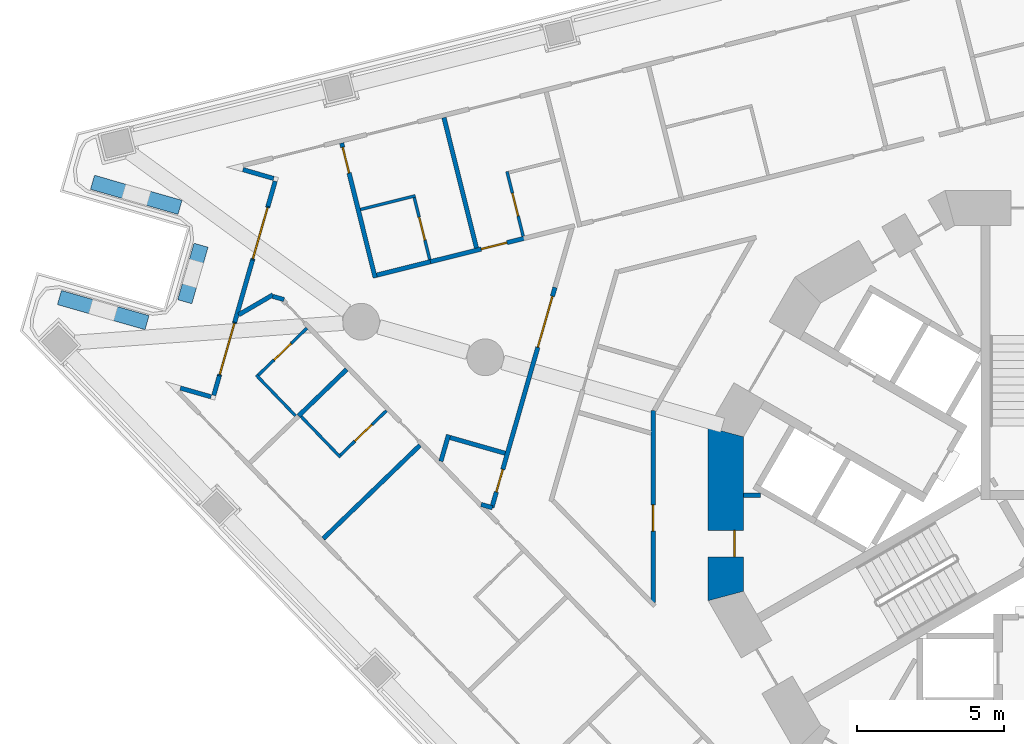
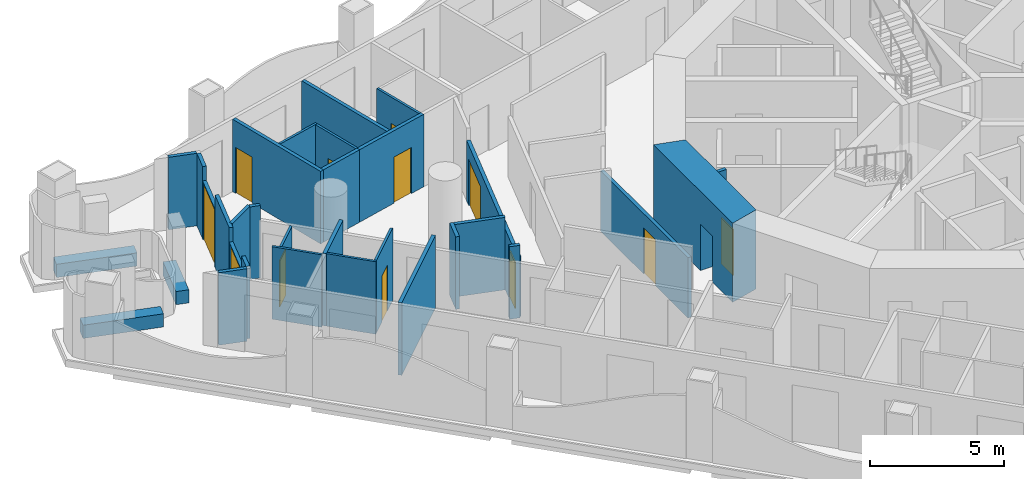
# One storey, part 6 of 19: 32 walls, 12 doors, 12 openings.
"""IFC4 building model written with IfcOpenShell, lengths in metres."""

from ifc_helpers import new_model, si_unit, direction, frame, frame_2d, origin, place, context, subcontext, project, spatial, polyline, rectangle, outline, extrude, material, layer, layer_set, type_object, element, fill, save


model = new_model("IFC4")

# Units and contexts
model_context = context("Model", 3, precision=1e-05, world=origin(), true_north=direction((0.0, 1.0)))
body_context = subcontext(model_context, "Body", "Model", "MODEL_VIEW")
ifc_project = project(units=[si_unit("LENGTHUNIT", "METRE"), si_unit("AREAUNIT", "SQUARE_METRE"), si_unit("VOLUMEUNIT", "CUBIC_METRE"), si_unit("PLANEANGLEUNIT", "RADIAN"), si_unit("MASSUNIT", "GRAM", prefix="KILO")], contexts=[model_context])

# Site, building, storey
site_placement = place(None, origin())
site = spatial("IfcSite", under=ifc_project, at=site_placement, CompositionType="ELEMENT")
building_placement = place(site_placement, origin())
building = spatial("IfcBuilding", under=site, at=building_placement, Name="Trine Commons Tower", CompositionType="ELEMENT")
storey_placement = place(building_placement, frame((0.0, 0.0, 98.10009765625)))
storey = spatial("IfcBuildingStorey", under=building, at=storey_placement, Name="L24", CompositionType="ELEMENT", Elevation=98.10009765625)

# Walls
ifc_material_1 = material(Name="Plasterboard partition on steel studs", Category="steel")
ifc_layer_1 = layer(ifc_material_1, 0.14990234375)
ifc_layer_set_1 = layer_set([ifc_layer_1], Name="Plasterboard partition on steel studs")
wall_type_1 = type_object("IfcWallType", Name="Core room partition 150 mm, EI 60", PredefinedType="PARTITIONING", material=ifc_layer_set_1)
wall_1_placement = place(storey_placement, frame((70.18798828125, 63.14208984375, 0.0), z_axis=(0.0, 0.0, 1.0), x_axis=(1.0, 0.0, 0.0)))
element("IfcWall", 1, at=wall_1_placement, inside=storey, type_object=wall_type_1, Name="Core room partition L24", PredefinedType="PARTITIONING", context=body_context, shape_type="SweptSolid", body=[
    extrude(rectangle(XDim=0.571044921875, YDim=0.14990234375, at=frame_2d((0.28564453125, 0.0))), origin(), (0.0, 0.0, 1.0), 3.2998046875),
])
ifc_material_2 = material(Name="Aluminium-framed insulated wall panel", Category="aluminium")
ifc_layer_2 = layer(ifc_material_2, 0.14990234375)
ifc_layer_set_2 = layer_set([ifc_layer_2], Name="Aluminium-framed insulated wall panel")
wall_type_2 = type_object("IfcWallType", Name="Glazed frame wall 150, EI 60", PredefinedType="SOLIDWALL", material=ifc_layer_set_2)
wall_2_placement = place(storey_placement, frame((50.88232421875, 66.82861328125, 0.0), z_axis=(0.0, 0.0, 1.0), x_axis=(0.961290718071, -0.275536123495, 0.0)))
element("IfcWall", 2, at=wall_2_placement, inside=storey, type_object=wall_type_2, Name="Glazed frame wall R1", PredefinedType="SOLIDWALL", context=body_context, shape_type="SweptSolid", body=[
    extrude(outline(polyline([(0.1494140625, 0.074951171875), (0.1494140625, -0.074951171875), (1.235107421875, -0.074951171875), (1.235107421875, 0.074951171875), (0.1494140625, 0.074951171875)])), origin(), (0.0, 0.0, 1.0), 3.2998046875),
])
wall_3_placement = place(storey_placement, frame((52.1318359375, 66.433837890625, 0.0), z_axis=(0.0, 0.0, 1.0), x_axis=(0.275567433055, 0.961281743215, 0.0)))
element("IfcWall", 3, at=wall_3_placement, inside=storey, type_object=wall_type_2, Name="Glazed frame wall P1.1", PredefinedType="SOLIDWALL", context=body_context, shape_type="SweptSolid", body=[
    extrude(outline(polyline([(0.110107421875, -0.074951171875), (0.800048828125, -0.074951171875), (0.800048828125, 0.074951171875), (0.110107421875, 0.074951171875), (0.110107421875, -0.074951171875)])), origin(), (0.0, 0.0, 1.0), 3.2998046875),
])

# Wall, opening, door
wall_4_placement = place(storey_placement, frame((52.352294921875, 67.202880859375, 0.0), z_axis=(0.0, 0.0, 1.0), x_axis=(0.275739195228, 0.961232488119, 0.0)))
wall_4 = element("IfcWall", 4, at=wall_4_placement, inside=storey, type_object=wall_type_2, Name="Glazed frame wall P1.2", PredefinedType="SOLIDWALL", context=body_context, shape_type="SweptSolid", body=[
    extrude(outline(polyline([(0.0, -0.074951171875), (1.89990234375, -0.074951171875), (1.89990234375, 0.074951171875), (0.0, 0.074951171875), (0.0, -0.074951171875)])), origin(), (0.0, 0.0, 1.0), 2.64990234375),
])
opening_1_placement = place(wall_4_placement, frame((0.050048828125, 0.0, 0.0)))
opening_1 = element("IfcOpeningElement", 5, at=opening_1_placement, cuts=wall_4, Name="Opening BD-3P1-01", PredefinedType="OPENING", context=body_context, shape_type="SweptSolid", body=[
    extrude(rectangle(XDim=1.800048828125, YDim=2.60009765625, at=frame_2d((0.89990234375, 1.300048828125))), frame((0.0, 0.0849609375, 0.0), z_axis=(0.0, -1.0, 0.0), x_axis=(1.0, 0.0, 0.0)), (0.0, 0.0, 1.0), 0.169921875),
])
ifc_material_3 = material(Name="Anodised aluminium frame with double glazing", Category="aluminium")
door_type_1 = type_object("IfcDoorType", Name="Sliding loggia door 1800x2600", OperationType="SLIDING_TO_LEFT", PredefinedType="DOOR", material=ifc_material_3)
door_1_placement = place(opening_1_placement, origin())
door_1 = element("IfcDoor", 6, at=door_1_placement, inside=storey, type_object=door_type_1, Name="Loggia door P1 1", OperationType="SLIDING_TO_LEFT", OverallHeight=2.60009765625, OverallWidth=1.800048828125, PredefinedType="DOOR", context=body_context, shape_type="SweptSolid", body=[
    extrude(rectangle(XDim=1.800048828125, YDim=2.60009765625, at=frame_2d((0.89990234375, 1.300048828125))), frame((0.0, 0.02490234375, 0.0), z_axis=(0.0, -1.0, 0.0), x_axis=(1.0, 0.0, 0.0)), (0.0, 0.0, 1.0), 0.050048828125),
])
fill(opening_1, door_1)

# Wall
wall_5_placement = place(storey_placement, frame((52.876220703125, 69.029296875, 0.0), z_axis=(0.0, 0.0, 1.0), x_axis=(0.275556494379, 0.961284878902, 0.0)))
element("IfcWall", 7, at=wall_5_placement, inside=storey, type_object=wall_type_2, Name="Glazed frame wall P1.3", PredefinedType="SOLIDWALL", context=body_context, shape_type="SweptSolid", body=[
    extrude(outline(polyline([(0.0, -0.074951171875), (2.199951171875, -0.074951171875), (2.199951171875, 0.074951171875), (0.0, 0.074951171875), (0.0, -0.074951171875)])), origin(), (0.0, 0.0, 1.0), 3.2998046875),
])

# Wall, opening, door
wall_6_placement = place(storey_placement, frame((53.482421875, 71.14404296875, 0.0), z_axis=(0.0, 0.0, 1.0), x_axis=(0.275739195228, 0.961232488119, 0.0)))
wall_6 = element("IfcWall", 8, at=wall_6_placement, inside=storey, type_object=wall_type_2, Name="Glazed frame wall P1.4", PredefinedType="SOLIDWALL", context=body_context, shape_type="SweptSolid", body=[
    extrude(outline(polyline([(0.0, -0.074951171875), (1.89990234375, -0.074951171875), (1.89990234375, 0.074951171875), (0.0, 0.074951171875), (0.0, -0.074951171875)])), origin(), (0.0, 0.0, 1.0), 2.64990234375),
])
opening_2_placement = place(wall_6_placement, frame((0.050048828125, 0.0, 0.0)))
opening_2 = element("IfcOpeningElement", 9, at=opening_2_placement, cuts=wall_6, Name="Opening BD-3P1-02", PredefinedType="OPENING", context=body_context, shape_type="SweptSolid", body=[
    extrude(rectangle(XDim=1.800048828125, YDim=2.60009765625, at=frame_2d((0.89990234375, 1.300048828125))), frame((0.0, 0.0849609375, 0.0), z_axis=(0.0, -1.0, 0.0), x_axis=(1.0, 0.0, 0.0)), (0.0, 0.0, 1.0), 0.169921875),
])
door_2_placement = place(opening_2_placement, origin())
door_2 = element("IfcDoor", 10, at=door_2_placement, inside=storey, type_object=door_type_1, Name="Loggia door P1 2", OperationType="SLIDING_TO_LEFT", OverallHeight=2.60009765625, OverallWidth=1.800048828125, PredefinedType="DOOR", context=body_context, shape_type="SweptSolid", body=[
    extrude(rectangle(XDim=1.800048828125, YDim=2.60009765625, at=frame_2d((0.89990234375, 1.300048828125))), frame((0.0, 0.02490234375, 0.0), z_axis=(0.0, -1.0, 0.0), x_axis=(1.0, 0.0, 0.0)), (0.0, 0.0, 1.0), 0.050048828125),
])
fill(opening_2, door_2)

# Walls
wall_7_placement = place(storey_placement, frame((54.00634765625, 72.970458984375, 0.0), z_axis=(0.0, 0.0, 1.0), x_axis=(0.275656175253, 0.961256299353, 0.0)))
element("IfcWall", 11, at=wall_7_placement, inside=storey, type_object=wall_type_2, Name="Glazed frame wall P1.5", PredefinedType="SOLIDWALL", context=body_context, shape_type="SweptSolid", body=[
    extrude(outline(polyline([(0.889892578125, 0.074951171875), (0.0, 0.074951171875), (0.0, -0.074951171875), (0.889892578125, -0.074951171875), (0.889892578125, 0.074951171875)])), origin(), (0.0, 0.0, 1.0), 3.2998046875),
])
wall_8_placement = place(storey_placement, frame((54.305908203125, 73.888427734375, 0.0), z_axis=(0.0, 0.0, 1.0), x_axis=(-0.961242628544, 0.275703843044, 0.0)))
element("IfcWall", 12, at=wall_8_placement, inside=storey, type_object=wall_type_2, Name="Glazed frame wall R3", PredefinedType="SOLIDWALL", context=body_context, shape_type="SweptSolid", body=[
    extrude(outline(polyline([(0.110107421875, 0.074951171875), (0.110107421875, -0.074951171875), (1.19580078125, -0.074951171875), (1.19580078125, 0.074951171875), (0.110107421875, 0.074951171875)])), origin(), (0.0, 0.0, 1.0), 3.2998046875),
])
ifc_material_4 = material(Name="Planter trough, precast concrete C40/50", Category="concrete")
ifc_layer_3 = layer(ifc_material_4, 0.5)
ifc_layer_set_3 = layer_set([ifc_layer_3], Name="Planter trough, precast concrete C40/50")
wall_type_3 = type_object("IfcWallType", Name="Planter trough 500x600", PredefinedType="PARAPET", material=ifc_layer_set_3)
wall_9_placement = place(storey_placement, frame((46.91064453125, 69.865966796875, 0.0), z_axis=(0.0, 0.0, 1.0), x_axis=(0.961261991794, -0.275636324044, 0.0)))
element("IfcWall", 13, at=wall_9_placement, inside=storey, type_object=wall_type_3, Name="Planter 1", PredefinedType="PARAPET", context=body_context, shape_type="SweptSolid", body=[
    extrude(rectangle(XDim=3.10009765625, YDim=0.5, at=frame_2d((1.550048828125, 0.0))), origin(), (0.0, 0.0, 1.0), 0.599853515625),
])
wall_10_placement = place(storey_placement, frame((51.177001953125, 69.724609375, 0.0), z_axis=(0.0, 0.0, 1.0), x_axis=(0.275623830648, 0.961265574115, 0.0)))
element("IfcWall", 14, at=wall_10_placement, inside=storey, type_object=wall_type_3, Name="Planter 2", PredefinedType="PARAPET", context=body_context, shape_type="SweptSolid", body=[
    extrude(rectangle(XDim=2.0, YDim=0.5, at=frame_2d((1.0, 0.0))), origin(), (0.0, 0.0, 1.0), 0.599853515625),
])
wall_11_placement = place(storey_placement, frame((51.01513671875, 72.93359375, 0.0), z_axis=(0.0, 0.0, 1.0), x_axis=(-0.961261991794, 0.275636324044, 0.0)))
element("IfcWall", 15, at=wall_11_placement, inside=storey, type_object=wall_type_3, Name="Planter 3", PredefinedType="PARAPET", context=body_context, shape_type="SweptSolid", body=[
    extrude(rectangle(XDim=3.10009765625, YDim=0.5, at=frame_2d((1.550048828125, 0.0))), origin(), (0.0, 0.0, 1.0), 0.599853515625),
])

# Wall, opening, door
ifc_material_5 = material(Name="Concrete C70/85", Category="concrete")
ifc_layer_4 = layer(ifc_material_5, 1.199951171875)
ifc_layer_set_4 = layer_set([ifc_layer_4], Name="Concrete C70/85")
wall_type_4 = type_object("IfcWallType", Name="RC shear wall 1200 mm, C70/85", PredefinedType="SHEAR", material=ifc_layer_set_4)
wall_12_placement = place(storey_placement, frame((69.58837890625, 65.450439453125, 0.0), z_axis=(0.0, 0.0, 1.0), x_axis=(0.0, -1.0, 0.0)))
wall_12 = element("IfcWall", 16, at=wall_12_placement, inside=storey, type_object=wall_type_4, Name="Core wall CWC-07 L24", PredefinedType="SHEAR", context=body_context, shape_type="SweptSolid", body=[
    extrude(outline(polyline([(0.0, -0.60009765625), (5.90087890625, -0.60009765625), (5.57958984375, 0.60009765625), (0.321533203125, 0.60009765625), (0.0, -0.60009765625)])), origin(), (0.0, 0.0, 1.0), 3.599853515625),
])
opening_3_placement = place(wall_12_placement, frame((3.508544921875, 0.0, 0.0)))
opening_3 = element("IfcOpeningElement", 17, at=opening_3_placement, cuts=wall_12, Name="Opening K07.14", PredefinedType="OPENING", context=body_context, shape_type="SweptSolid", body=[
    extrude(rectangle(XDim=0.89990234375, YDim=2.10009765625, at=frame_2d((0.449951171875, 1.050048828125))), frame((0.0, 0.60986328125, 0.0), z_axis=(0.0, -1.0, 0.0), x_axis=(1.0, 0.0, 0.0)), (0.0, 0.0, 1.0), 1.219970703125),
])
ifc_material_6 = material(Name="Steel door leaf, fire-rated", Category="steel")
door_type_2 = type_object("IfcDoorType", Name="Core room door, single leaf 900 x 2100, FD30S", OperationType="SINGLE_SWING_LEFT", PredefinedType="DOOR", material=ifc_material_6)
door_3_placement = place(opening_3_placement, origin())
door_3 = element("IfcDoor", 18, at=door_3_placement, inside=storey, type_object=door_type_2, Name="Door to Print room L24", OperationType="SINGLE_SWING_RIGHT", OverallHeight=2.10009765625, OverallWidth=0.89990234375, PredefinedType="DOOR", context=body_context, shape_type="SweptSolid", body=[
    extrude(rectangle(XDim=0.89990234375, YDim=2.10009765625, at=frame_2d((0.449951171875, 1.050048828125))), frame((0.0, 0.3251953125, 0.0), z_axis=(0.0, -1.0, 0.0), x_axis=(1.0, 0.0, 0.0)), (0.0, 0.0, 1.0), 0.050048828125),
])
fill(opening_3, door_3)

# Walls
ifc_material_7 = material(Name="Gypsum plasterboard on steel stud", Category="steel")
ifc_layer_5 = layer(ifc_material_7, 0.14990234375)
ifc_layer_set_5 = layer_set([ifc_layer_5], Name="Gypsum plasterboard on steel stud")
wall_type_5 = type_object("IfcWallType", Name="Unit and corridor wall 150 mm, EI 60", PredefinedType="PARTITIONING", material=ifc_layer_set_5)
wall_13_placement = place(storey_placement, frame((53.012451171875, 69.2802734375, 0.0), z_axis=(0.0, 0.0, 1.0), x_axis=(0.863562271771, 0.504242206458, 0.0)))
element("IfcWall", 19, at=wall_13_placement, inside=storey, type_object=wall_type_5, Name="Partition 001", PredefinedType="PARTITIONING", context=body_context, shape_type="SweptSolid", body=[
    extrude(rectangle(XDim=1.349365234375, YDim=0.14990234375, at=frame_2d((0.6748046875, 0.0))), origin(), (0.0, 0.0, 1.0), 3.2998046875),
])
wall_14_placement = place(storey_placement, frame((54.169921875, 69.90673828125, 0.0), z_axis=(0.0, 0.0, 1.0), x_axis=(0.961685070829, -0.274156569398, 0.0)))
element("IfcWall", 20, at=wall_14_placement, inside=storey, type_object=wall_type_5, Name="Partition 005", PredefinedType="PARTITIONING", context=body_context, shape_type="SweptSolid", body=[
    extrude(rectangle(XDim=0.39990234375, YDim=0.14990234375, at=frame_2d((0.199951171875, 0.0))), origin(), (0.0, 0.0, 1.0), 3.2998046875),
])
wall_15_placement = place(storey_placement, frame((55.047119140625, 65.83837890625, 0.0), z_axis=(0.0, 0.0, 1.0), x_axis=(0.719183209113, 0.694820488853, 0.0)))
element("IfcWall", 21, at=wall_15_placement, inside=storey, type_object=wall_type_5, Name="Partition 008", PredefinedType="PARTITIONING", context=body_context, shape_type="SweptSolid", body=[
    extrude(rectangle(XDim=2.27490234375, YDim=0.14990234375, at=frame_2d((1.137451171875, 0.0))), origin(), (0.0, 0.0, 1.0), 3.2998046875),
])
wall_16_placement = place(storey_placement, frame((55.88671875, 61.660888671875, 0.0), z_axis=(0.0, 0.0, 1.0), x_axis=(0.719385819916, 0.694610712632, 0.0)))
element("IfcWall", 22, at=wall_16_placement, inside=storey, type_object=wall_type_5, Name="Partition 009", PredefinedType="PARTITIONING", context=body_context, shape_type="SweptSolid", body=[
    extrude(rectangle(XDim=4.572265625, YDim=0.14990234375, at=frame_2d((2.2861328125, 0.0))), origin(), (0.0, 0.0, 1.0), 3.2998046875),
])

# Wall, opening, door
wall_17_placement = place(storey_placement, frame((56.513671875, 75.122314453125, 0.0), z_axis=(0.0, 0.0, 1.0), x_axis=(0.24185448203, -0.970312531879, 0.0)))
wall_17 = element("IfcWall", 23, at=wall_17_placement, inside=storey, type_object=wall_type_5, Name="Partition 011", PredefinedType="PARTITIONING", context=body_context, shape_type="SweptSolid", body=[
    extrude(rectangle(XDim=4.72314453125, YDim=0.14990234375, at=frame_2d((2.361572265625, 0.0))), origin(), (0.0, 0.0, 1.0), 3.2998046875),
])
opening_4_placement = place(wall_17_placement, frame((0.14990234375, 0.0, 0.0)))
opening_4 = element("IfcOpeningElement", 24, at=opening_4_placement, cuts=wall_17, Name="Opening D-3B07", PredefinedType="OPENING", context=body_context, shape_type="SweptSolid", body=[
    extrude(rectangle(XDim=0.89990234375, YDim=2.10009765625, at=frame_2d((0.449951171875, 1.050048828125))), frame((0.0, 0.0849609375, 0.0), z_axis=(0.0, -1.0, 0.0), x_axis=(1.0, 0.0, 0.0)), (0.0, 0.0, 1.0), 0.169921875),
])
ifc_material_8 = material(Name="Timber fire door set", Category="wood")
door_type_3 = type_object("IfcDoorType", Name="Bedroom door 900 x 2100, FD30S", OperationType="NOTDEFINED", PredefinedType="DOOR", material=ifc_material_8)
door_4_placement = place(opening_4_placement, origin())
door_4 = element("IfcDoor", 25, at=door_4_placement, inside=storey, type_object=door_type_3, Name="Door D-3B07", OperationType="SINGLE_SWING_LEFT", OverallHeight=2.10009765625, OverallWidth=0.89990234375, PredefinedType="DOOR", context=body_context, shape_type="SweptSolid", body=[
    extrude(rectangle(XDim=0.89990234375, YDim=2.10009765625, at=frame_2d((0.449951171875, 1.050048828125))), frame((0.0, 0.02490234375, 0.0), z_axis=(0.0, -1.0, 0.0), x_axis=(1.0, 0.0, 0.0)), (0.0, 0.0, 1.0), 0.050048828125),
])
fill(opening_4, door_4)

# Wall
wall_18_placement = place(storey_placement, frame((57.710693359375, 70.630126953125, 0.0), z_axis=(0.0, 0.0, 1.0), x_axis=(0.970264657276, 0.242046472483, 0.0)))
element("IfcWall", 26, at=wall_18_placement, inside=storey, type_object=wall_type_5, Name="Partition 013", PredefinedType="PARTITIONING", context=body_context, shape_type="SweptSolid", body=[
    extrude(rectangle(XDim=1.879150390625, YDim=0.14990234375, at=frame_2d((0.939453125, 0.0))), origin(), (0.0, 0.0, 1.0), 3.2998046875),
])

# Wall, opening, door
wall_19_placement = place(storey_placement, frame((59.52587890625, 71.0830078125, 0.0), z_axis=(0.0, 0.0, 1.0), x_axis=(0.970335998333, 0.24176031589, 0.0)))
wall_19 = element("IfcWall", 27, at=wall_19_placement, inside=storey, type_object=wall_type_5, Name="Partition 015", PredefinedType="PARTITIONING", context=body_context, shape_type="SweptSolid", body=[
    extrude(rectangle(XDim=3.33447265625, YDim=0.14990234375, at=frame_2d((1.667236328125, 0.0))), origin(), (0.0, 0.0, 1.0), 3.2998046875),
])
opening_5_placement = place(wall_19_placement, frame((1.792724609375, 0.0, 0.0)))
opening_5 = element("IfcOpeningElement", 28, at=opening_5_placement, cuts=wall_19, Name="Opening D-3B08", PredefinedType="OPENING", context=body_context, shape_type="SweptSolid", body=[
    extrude(rectangle(XDim=0.89990234375, YDim=2.10009765625, at=frame_2d((0.449951171875, 1.050048828125))), frame((0.0, 0.0849609375, 0.0), z_axis=(0.0, -1.0, 0.0), x_axis=(1.0, 0.0, 0.0)), (0.0, 0.0, 1.0), 0.169921875),
])
door_5_placement = place(opening_5_placement, origin())
door_5 = element("IfcDoor", 29, at=door_5_placement, inside=storey, type_object=door_type_3, Name="Door D-3B08", OperationType="SINGLE_SWING_RIGHT", OverallHeight=2.10009765625, OverallWidth=0.89990234375, PredefinedType="DOOR", context=body_context, shape_type="SweptSolid", body=[
    extrude(rectangle(XDim=0.89990234375, YDim=2.10009765625, at=frame_2d((0.449951171875, 1.050048828125))), frame((0.0, 0.02490234375, 0.0), z_axis=(0.0, -1.0, 0.0), x_axis=(1.0, 0.0, 0.0)), (0.0, 0.0, 1.0), 0.050048828125),
])
fill(opening_5, door_5)

# Walls
wall_20_placement = place(storey_placement, frame((59.8935546875, 64.295166015625, 0.0), z_axis=(0.0, 0.0, 1.0), x_axis=(0.275099226296, 0.96141583911, 0.0)))
element("IfcWall", 30, at=wall_20_placement, inside=storey, type_object=wall_type_5, Name="Partition 016", PredefinedType="PARTITIONING", context=body_context, shape_type="SweptSolid", body=[
    extrude(rectangle(XDim=0.93798828125, YDim=0.14990234375, at=frame_2d((0.468994140625, 0.0))), origin(), (0.0, 0.0, 1.0), 3.2998046875),
])
wall_21_placement = place(storey_placement, frame((59.99560546875, 75.990234375, 0.0), z_axis=(0.0, 0.0, 1.0), x_axis=(0.24188240248, -0.970305572163, 0.0)))
element("IfcWall", 31, at=wall_21_placement, inside=storey, type_object=wall_type_5, Name="Partition 017", PredefinedType="PARTITIONING", context=body_context, shape_type="SweptSolid", body=[
    extrude(rectangle(XDim=4.5732421875, YDim=0.14990234375, at=frame_2d((2.28662109375, 0.0))), origin(), (0.0, 0.0, 1.0), 3.2998046875),
])
wall_22_placement = place(storey_placement, frame((60.203125, 65.104248046875, 0.0), z_axis=(0.0, 0.0, 1.0), x_axis=(0.961258970078, -0.275646861845, 0.0)))
element("IfcWall", 32, at=wall_22_placement, inside=storey, type_object=wall_type_5, Name="Partition 018", PredefinedType="PARTITIONING", context=body_context, shape_type="SweptSolid", body=[
    extrude(rectangle(XDim=1.9501953125, YDim=0.14990234375, at=frame_2d((0.97509765625, 0.0))), origin(), (0.0, 0.0, 1.0), 3.2998046875),
])
wall_23_placement = place(storey_placement, frame((61.261962890625, 62.823974609375, 0.0), z_axis=(0.0, 0.0, 1.0), x_axis=(0.960829843292, -0.2771389764, 0.0)))
element("IfcWall", 33, at=wall_23_placement, inside=storey, type_object=wall_type_5, Name="Partition 022", PredefinedType="PARTITIONING", context=body_context, shape_type="SweptSolid", body=[
    extrude(rectangle(XDim=0.39990234375, YDim=0.14990234375, at=frame_2d((0.199951171875, 0.0))), origin(), (0.0, 0.0, 1.0), 3.2998046875),
])

# Wall, openings, doors
wall_24_placement = place(storey_placement, frame((61.625, 62.715087890625, 0.0), z_axis=(0.0, 0.0, 1.0), x_axis=(0.275614307244, 0.961268304711, 0.0)))
wall_24 = element("IfcWall", 34, at=wall_24_placement, inside=storey, type_object=wall_type_5, Name="Partition 023", PredefinedType="PARTITIONING", context=body_context, shape_type="SweptSolid", body=[
    extrude(rectangle(XDim=7.796875, YDim=0.14990234375, at=frame_2d((3.8984375, 0.0))), origin(), (0.0, 0.0, 1.0), 2.75),
])
opening_6_placement = place(wall_24_placement, frame((5.67919921875, 0.0, 0.0)))
opening_6 = element("IfcOpeningElement", 35, at=opening_6_placement, cuts=wall_24, Name="Opening D-3B03", PredefinedType="OPENING", context=body_context, shape_type="SweptSolid", body=[
    extrude(rectangle(XDim=1.800048828125, YDim=2.10009765625, at=frame_2d((0.89990234375, 1.050048828125))), frame((0.0, 0.0849609375, 0.0), z_axis=(0.0, -1.0, 0.0), x_axis=(1.0, 0.0, 0.0)), (0.0, 0.0, 1.0), 0.169921875),
])
opening_7_placement = place(wall_24_placement, frame((0.554443359375, 0.0, 0.0)))
opening_7 = element("IfcOpeningElement", 36, at=opening_7_placement, cuts=wall_24, Name="Opening D-3B06", PredefinedType="OPENING", context=body_context, shape_type="SweptSolid", body=[
    extrude(rectangle(XDim=0.800048828125, YDim=2.10009765625, at=frame_2d((0.39990234375, 1.050048828125))), frame((0.0, 0.0849609375, 0.0), z_axis=(0.0, -1.0, 0.0), x_axis=(1.0, 0.0, 0.0)), (0.0, 0.0, 1.0), 0.169921875),
])
door_type_4 = type_object("IfcDoorType", Name="Cluster entrance door 1800 x 2100, double leaf, FD30S", OperationType="DOUBLE_DOOR_DOUBLE_SWING", PredefinedType="DOOR", material=ifc_material_8)
door_6_placement = place(opening_6_placement, origin())
door_6 = element("IfcDoor", 37, at=door_6_placement, inside=storey, type_object=door_type_4, Name="Door D-3B03", OperationType="DOUBLE_DOOR_DOUBLE_SWING", OverallHeight=2.10009765625, OverallWidth=1.800048828125, PredefinedType="DOOR", context=body_context, shape_type="SweptSolid", body=[
    extrude(rectangle(XDim=1.800048828125, YDim=2.10009765625, at=frame_2d((0.89990234375, 1.050048828125))), frame((0.0, 0.02490234375, 0.0), z_axis=(0.0, -1.0, 0.0), x_axis=(1.0, 0.0, 0.0)), (0.0, 0.0, 1.0), 0.050048828125),
])
fill(opening_6, door_6)
ifc_material_9 = material(Name="Painted timber", Category="wood")
door_type_5 = type_object("IfcDoorType", Name="Toilet door 800 x 2100, NOT RATED", OperationType="NOTDEFINED", PredefinedType="DOOR", material=ifc_material_9)
door_7_placement = place(opening_7_placement, origin())
door_7 = element("IfcDoor", 38, at=door_7_placement, inside=storey, type_object=door_type_5, Name="Door D-3B06", OperationType="SINGLE_SWING_LEFT", OverallHeight=2.10009765625, OverallWidth=0.800048828125, PredefinedType="DOOR", context=body_context, shape_type="SweptSolid", body=[
    extrude(rectangle(XDim=0.800048828125, YDim=2.10009765625, at=frame_2d((0.39990234375, 1.050048828125))), frame((0.0, 0.02490234375, 0.0), z_axis=(0.0, -1.0, 0.0), x_axis=(1.0, 0.0, 0.0)), (0.0, 0.0, 1.0), 0.050048828125),
])
fill(opening_7, door_7)

# Wall, opening, door
wall_25_placement = place(storey_placement, frame((67.113037109375, 59.49609375, 0.0), z_axis=(0.0, 0.0, 1.0), x_axis=(0.0, 1.0, 0.0)))
wall_25 = element("IfcWall", 39, at=wall_25_placement, inside=storey, type_object=wall_type_5, Name="Partition 041", PredefinedType="PARTITIONING", context=body_context, shape_type="SweptSolid", body=[
    extrude(rectangle(XDim=6.531982421875, YDim=0.14990234375, at=frame_2d((3.26611328125, 0.0))), origin(), (0.0, 0.0, 1.0), 2.75),
])
opening_8_placement = place(wall_25_placement, frame((2.41845703125, 0.0, 0.0)))
opening_8 = element("IfcOpeningElement", 40, at=opening_8_placement, cuts=wall_25, Name="Opening D-3B37", PredefinedType="OPENING", context=body_context, shape_type="SweptSolid", body=[
    extrude(rectangle(XDim=0.89990234375, YDim=2.10009765625, at=frame_2d((0.449951171875, 1.050048828125))), frame((0.0, 0.0849609375, 0.0), z_axis=(0.0, -1.0, 0.0), x_axis=(1.0, 0.0, 0.0)), (0.0, 0.0, 1.0), 0.169921875),
])
door_type_6 = type_object("IfcDoorType", Name="Service door 900 x 2100, FD30S", OperationType="NOTDEFINED", PredefinedType="DOOR", material=ifc_material_8)
door_8_placement = place(opening_8_placement, origin())
door_8 = element("IfcDoor", 41, at=door_8_placement, inside=storey, type_object=door_type_6, Name="Door D-3B37", OperationType="SINGLE_SWING_LEFT", OverallHeight=2.10009765625, OverallWidth=0.89990234375, PredefinedType="DOOR", context=body_context, shape_type="SweptSolid", body=[
    extrude(rectangle(XDim=0.89990234375, YDim=2.10009765625, at=frame_2d((0.449951171875, 1.050048828125))), frame((0.0, 0.02490234375, 0.0), z_axis=(0.0, -1.0, 0.0), x_axis=(1.0, 0.0, 0.0)), (0.0, 0.0, 1.0), 0.050048828125),
])
fill(opening_8, door_8)

# Wall
ifc_layer_6 = layer(ifc_material_7, 0.10009765625)
ifc_layer_set_6 = layer_set([ifc_layer_6], Name="Gypsum plasterboard on steel stud")
wall_type_6 = type_object("IfcWallType", Name="Unit partition 100 mm, no rating", PredefinedType="PARTITIONING", material=ifc_layer_set_6)
wall_26_placement = place(storey_placement, frame((53.607421875, 67.22802734375, 0.0), z_axis=(0.0, 0.0, 1.0), x_axis=(0.694372631144, -0.719615625955, 0.0)))
element("IfcWall", 42, at=wall_26_placement, inside=storey, type_object=wall_type_6, Name="Partition 003", PredefinedType="PARTITIONING", context=body_context, shape_type="SweptSolid", body=[
    extrude(rectangle(XDim=1.924560546875, YDim=0.10009765625, at=frame_2d((0.96240234375, 0.0))), origin(), (0.0, 0.0, 1.0), 3.2998046875),
])

# Wall, opening, door
wall_27_placement = place(storey_placement, frame((53.677978515625, 67.226806640625, 0.0), z_axis=(0.0, 0.0, 1.0), x_axis=(0.719443618251, 0.694550847784, 0.0)))
wall_27 = element("IfcWall", 43, at=wall_27_placement, inside=storey, type_object=wall_type_6, Name="Partition 004", PredefinedType="PARTITIONING", context=body_context, shape_type="SweptSolid", body=[
    extrude(rectangle(XDim=2.294921875, YDim=0.10009765625, at=frame_2d((1.1474609375, 0.0))), origin(), (0.0, 0.0, 1.0), 2.64990234375),
])
opening_9_placement = place(wall_27_placement, frame((0.74755859375, 0.0, 0.0)))
opening_9 = element("IfcOpeningElement", 44, at=opening_9_placement, cuts=wall_27, Name="Opening D-3B65", PredefinedType="OPENING", context=body_context, shape_type="SweptSolid", body=[
    extrude(rectangle(XDim=0.800048828125, YDim=2.10009765625, at=frame_2d((0.39990234375, 1.050048828125))), frame((0.0, 0.06005859375, 0.0), z_axis=(0.0, -1.0, 0.0), x_axis=(1.0, 0.0, 0.0)), (0.0, 0.0, 1.0), 0.1201171875),
])
door_type_7 = type_object("IfcDoorType", Name="Internal door 800 x 2100, NOT RATED", OperationType="NOTDEFINED", PredefinedType="DOOR", material=ifc_material_9)
door_9_placement = place(opening_9_placement, origin())
door_9 = element("IfcDoor", 45, at=door_9_placement, inside=storey, type_object=door_type_7, Name="Door D-3B65", OperationType="SINGLE_SWING_LEFT", OverallHeight=2.10009765625, OverallWidth=0.800048828125, PredefinedType="DOOR", context=body_context, shape_type="SweptSolid", body=[
    extrude(rectangle(XDim=0.800048828125, YDim=2.10009765625, at=frame_2d((0.39990234375, 1.050048828125))), frame((0.0, 0.02490234375, 0.0), z_axis=(0.0, -1.0, 0.0), x_axis=(1.0, 0.0, 0.0)), (0.0, 0.0, 1.0), 0.050048828125),
])
fill(opening_9, door_9)

# Wall
wall_28_placement = place(storey_placement, frame((55.135009765625, 65.819091796875, 0.0), z_axis=(0.0, 0.0, 1.0), x_axis=(0.694438310909, -0.719552244345, 0.0)))
element("IfcWall", 46, at=wall_28_placement, inside=storey, type_object=wall_type_6, Name="Partition 007", PredefinedType="PARTITIONING", context=body_context, shape_type="SweptSolid", body=[
    extrude(rectangle(XDim=1.9248046875, YDim=0.10009765625, at=frame_2d((0.96240234375, 0.0))), origin(), (0.0, 0.0, 1.0), 3.2998046875),
])

# Wall, opening, door
wall_29_placement = place(storey_placement, frame((56.472900390625, 64.504638671875, 0.0), z_axis=(0.0, 0.0, 1.0), x_axis=(0.719397593573, 0.69459851883, 0.0)))
wall_29 = element("IfcWall", 47, at=wall_29_placement, inside=storey, type_object=wall_type_6, Name="Partition 010", PredefinedType="PARTITIONING", context=body_context, shape_type="SweptSolid", body=[
    extrude(rectangle(XDim=2.17578125, YDim=0.10009765625, at=frame_2d((1.087890625, 0.0))), origin(), (0.0, 0.0, 1.0), 3.2998046875),
])
opening_10_placement = place(wall_29_placement, frame((0.687744140625, 0.0, 0.0)))
opening_10 = element("IfcOpeningElement", 48, at=opening_10_placement, cuts=wall_29, Name="Opening D-3B64", PredefinedType="OPENING", context=body_context, shape_type="SweptSolid", body=[
    extrude(rectangle(XDim=0.800048828125, YDim=2.10009765625, at=frame_2d((0.39990234375, 1.050048828125))), frame((0.0, 0.06005859375, 0.0), z_axis=(0.0, -1.0, 0.0), x_axis=(1.0, 0.0, 0.0)), (0.0, 0.0, 1.0), 0.1201171875),
])
door_10_placement = place(opening_10_placement, frame((0.800048828125, 0.0, 0.0), z_axis=(0.0, 0.0, 1.0), x_axis=(-1.0, 0.0, 0.0)))
door_10 = element("IfcDoor", 49, at=door_10_placement, inside=storey, type_object=door_type_7, Name="Door D-3B64", OperationType="SINGLE_SWING_RIGHT", OverallHeight=2.10009765625, OverallWidth=0.800048828125, PredefinedType="DOOR", context=body_context, shape_type="SweptSolid", body=[
    extrude(rectangle(XDim=0.800048828125, YDim=2.10009765625, at=frame_2d((0.39990234375, 1.050048828125))), frame((0.0, 0.02490234375, 0.0), z_axis=(0.0, -1.0, 0.0), x_axis=(1.0, 0.0, 0.0)), (0.0, 0.0, 1.0), 0.050048828125),
])
fill(opening_10, door_10)

# Wall
wall_30_placement = place(storey_placement, frame((57.15478515625, 72.8623046875, 0.0), z_axis=(0.0, 0.0, 1.0), x_axis=(0.970276645771, 0.241998410475, 0.0)))
element("IfcWall", 50, at=wall_30_placement, inside=storey, type_object=wall_type_6, Name="Partition 012", PredefinedType="PARTITIONING", context=body_context, shape_type="SweptSolid", body=[
    extrude(rectangle(XDim=1.9248046875, YDim=0.10009765625, at=frame_2d((0.96240234375, 0.0))), origin(), (0.0, 0.0, 1.0), 3.2998046875),
])

# Wall, opening, door
wall_31_placement = place(storey_placement, frame((58.986083984375, 73.267578125, 0.0), z_axis=(0.0, 0.0, 1.0), x_axis=(0.241743332693, -0.970340229558, 0.0)))
wall_31 = element("IfcWall", 51, at=wall_31_placement, inside=storey, type_object=wall_type_6, Name="Partition 014", PredefinedType="PARTITIONING", context=body_context, shape_type="SweptSolid", body=[
    extrude(rectangle(XDim=2.17529296875, YDim=0.10009765625, at=frame_2d((1.087646484375, 0.0))), origin(), (0.0, 0.0, 1.0), 3.2998046875),
])
opening_11_placement = place(wall_31_placement, frame((0.6875, 0.0, 0.0)))
opening_11 = element("IfcOpeningElement", 52, at=opening_11_placement, cuts=wall_31, Name="Opening D-3B43", PredefinedType="OPENING", context=body_context, shape_type="SweptSolid", body=[
    extrude(rectangle(XDim=0.800048828125, YDim=2.10009765625, at=frame_2d((0.39990234375, 1.050048828125))), frame((0.0, 0.06005859375, 0.0), z_axis=(0.0, -1.0, 0.0), x_axis=(1.0, 0.0, 0.0)), (0.0, 0.0, 1.0), 0.1201171875),
])
door_11_placement = place(opening_11_placement, origin())
door_11 = element("IfcDoor", 53, at=door_11_placement, inside=storey, type_object=door_type_7, Name="Door D-3B43", OperationType="SINGLE_SWING_RIGHT", OverallHeight=2.10009765625, OverallWidth=0.800048828125, PredefinedType="DOOR", context=body_context, shape_type="SweptSolid", body=[
    extrude(rectangle(XDim=0.800048828125, YDim=2.10009765625, at=frame_2d((0.39990234375, 1.050048828125))), frame((0.0, 0.02490234375, 0.0), z_axis=(0.0, -1.0, 0.0), x_axis=(1.0, 0.0, 0.0)), (0.0, 0.0, 1.0), 0.050048828125),
])
fill(opening_11, door_11)

wall_32_placement = place(storey_placement, frame((62.140869140625, 74.156494140625, 0.0), z_axis=(0.0, 0.0, 1.0), x_axis=(0.241853593672, -0.970312753306, 0.0)))
wall_32 = element("IfcWall", 54, at=wall_32_placement, inside=storey, type_object=wall_type_6, Name="Partition 024", PredefinedType="PARTITIONING", context=body_context, shape_type="SweptSolid", body=[
    extrude(rectangle(XDim=2.2744140625, YDim=0.10009765625, at=frame_2d((1.13720703125, 0.0))), origin(), (0.0, 0.0, 1.0), 3.2998046875),
])
opening_12_placement = place(wall_32_placement, frame((0.76220703125, 0.0, 0.0)))
opening_12 = element("IfcOpeningElement", 55, at=opening_12_placement, cuts=wall_32, Name="Opening D-3B44", PredefinedType="OPENING", context=body_context, shape_type="SweptSolid", body=[
    extrude(rectangle(XDim=0.800048828125, YDim=2.10009765625, at=frame_2d((0.39990234375, 1.050048828125))), frame((0.0, 0.06005859375, 0.0), z_axis=(0.0, -1.0, 0.0), x_axis=(1.0, 0.0, 0.0)), (0.0, 0.0, 1.0), 0.1201171875),
])
door_12_placement = place(opening_12_placement, frame((0.800048828125, 0.0, 0.0), z_axis=(0.0, 0.0, 1.0), x_axis=(-1.0, 0.0, 0.0)))
door_12 = element("IfcDoor", 56, at=door_12_placement, inside=storey, type_object=door_type_7, Name="Door D-3B44", OperationType="SINGLE_SWING_LEFT", OverallHeight=2.10009765625, OverallWidth=0.800048828125, PredefinedType="DOOR", context=body_context, shape_type="SweptSolid", body=[
    extrude(rectangle(XDim=0.800048828125, YDim=2.10009765625, at=frame_2d((0.39990234375, 1.050048828125))), frame((0.0, 0.02490234375, 0.0), z_axis=(0.0, -1.0, 0.0), x_axis=(1.0, 0.0, 0.0)), (0.0, 0.0, 1.0), 0.050048828125),
])
fill(opening_12, door_12)

save(model, "model.ifc")
